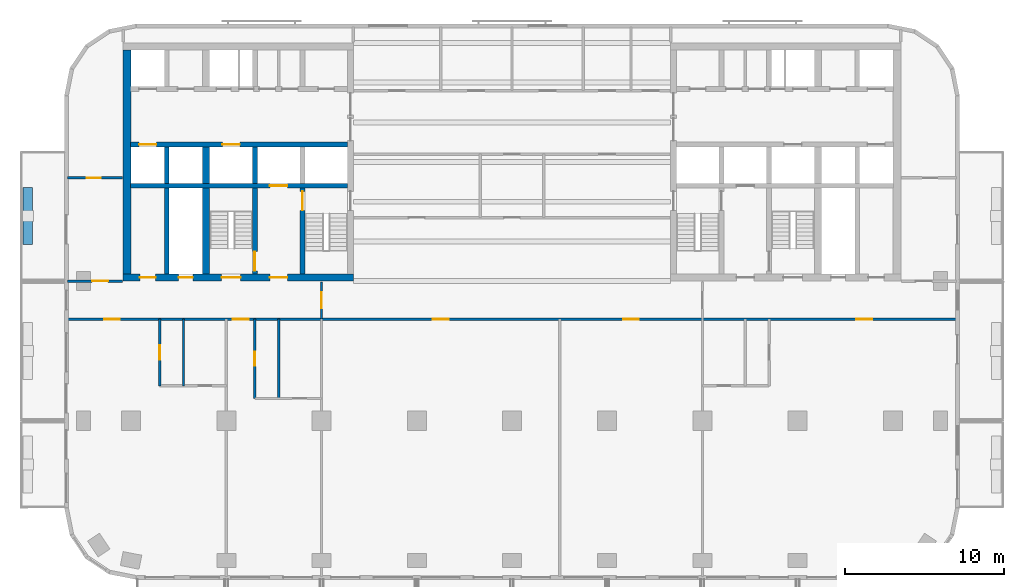
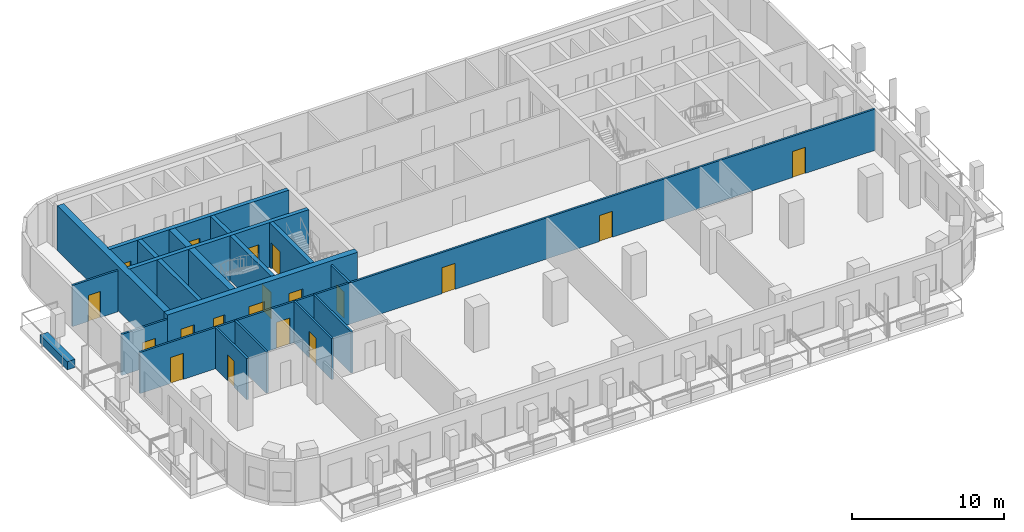
# One storey, part 3 of 11: 20 walls, 19 doors, 19 openings.
"""IFC4 building model written with IfcOpenShell, lengths in metres."""

from ifc_helpers import new_model, si_unit, direction, frame, frame_2d, origin, place, context, subcontext, project, spatial, rectangle, extrude, material, layer, layer_set, type_object, element, fill, save


model = new_model("IFC4")

# Units and contexts
model_context = context("Model", 3, precision=1e-05, world=origin(), true_north=direction((0.0, 1.0)))
body_context = subcontext(model_context, "Body", "Model", "MODEL_VIEW")
ifc_project = project(units=[si_unit("LENGTHUNIT", "METRE"), si_unit("AREAUNIT", "SQUARE_METRE"), si_unit("VOLUMEUNIT", "CUBIC_METRE"), si_unit("PLANEANGLEUNIT", "RADIAN"), si_unit("MASSUNIT", "GRAM", prefix="KILO")], contexts=[model_context])

# Site, building, storey
site_placement = place(None, origin())
site = spatial("IfcSite", under=ifc_project, at=site_placement, CompositionType="ELEMENT")
building_placement = place(site_placement, origin())
building = spatial("IfcBuilding", under=site, at=building_placement, Name="Torana Hotel and Residences", CompositionType="ELEMENT")
storey_placement = place(building_placement, frame((0.0, 0.0, 170.39990234375)))
storey = spatial("IfcBuildingStorey", under=building, at=storey_placement, Name="L44", CompositionType="ELEMENT", Elevation=170.39990234375)

# Wall, openings, doors
ifc_material_1 = material(Name="Concrete C70/85", Category="concrete")
ifc_layer_1 = layer(ifc_material_1, 0.300048828125)
ifc_layer_set_1 = layer_set([ifc_layer_1], Name="CORE WALL 300 C70/85")
wall_type_1 = type_object("IfcWallType", Name="CORE WALL 300 C70/85", PredefinedType="SHEAR", material=ifc_layer_set_1)
wall_1_placement = place(storey_placement, frame((-24.050048828125, -6.39990234375, 0.0), z_axis=(0.0, 0.0, 1.0), x_axis=(1.0, 0.0, 0.0)))
wall_1 = element("IfcWall", 1, at=wall_1_placement, inside=storey, type_object=wall_type_1, Name="Core wall W row-S", PredefinedType="SHEAR", context=body_context, shape_type="SweptSolid", body=[
    extrude(rectangle(XDim=13.699951171875, YDim=0.300048828125, at=frame_2d((6.85009765625, 0.0))), origin(), (0.0, 0.0, 1.0), 3.60009765625),
])
opening_1_placement = place(wall_1_placement, frame((0.550048828125, 0.0, 0.0)))
opening_1 = element("IfcOpeningElement", 2, at=opening_1_placement, cuts=wall_1, Name="Opening LD", PredefinedType="OPENING", context=body_context, shape_type="SweptSolid", body=[
    extrude(rectangle(XDim=1.10009765625, YDim=2.10009765625, at=frame_2d((0.550048828125, 1.050048828125))), frame((0.0, 0.159912109375, 0.0), z_axis=(0.0, -1.0, 0.0), x_axis=(1.0, 0.0, 0.0)), (0.0, 0.0, 1.0), 0.320068359375),
])
opening_2_placement = place(wall_1_placement, frame((5.800048828125, 0.0, 0.0)))
opening_2 = element("IfcOpeningElement", 3, at=opening_2_placement, cuts=wall_1, Name="Opening LD", PredefinedType="OPENING", context=body_context, shape_type="SweptSolid", body=[
    extrude(rectangle(XDim=1.10009765625, YDim=2.10009765625, at=frame_2d((0.550048828125, 1.050048828125))), frame((0.0, 0.159912109375, 0.0), z_axis=(0.0, -1.0, 0.0), x_axis=(1.0, 0.0, 0.0)), (0.0, 0.0, 1.0), 0.320068359375),
])
ifc_material_2 = material(Name="Stainless steel 316", Category="steel")
door_type_1 = type_object("IfcDoorType", Name="LIFT LANDING DOOR LD 1100x2100", OperationType="DOUBLE_DOOR_SLIDING", PredefinedType="USERDEFINED", material=ifc_material_2)
door_1_placement = place(opening_1_placement, origin())
door_1 = element("IfcDoor", 4, at=door_1_placement, inside=storey, type_object=door_type_1, Name="Lift landing door M2 L44", ObjectType="LIFT LANDING DOOR", OperationType="DOUBLE_DOOR_SLIDING", OverallHeight=2.10009765625, OverallWidth=1.10009765625, PredefinedType="USERDEFINED", context=body_context, shape_type="SweptSolid", body=[
    extrude(rectangle(XDim=1.10009765625, YDim=2.10009765625, at=frame_2d((0.550048828125, 1.050048828125))), frame((0.0, 0.02490234375, 0.0), z_axis=(0.0, -1.0, 0.0), x_axis=(1.0, 0.0, 0.0)), (0.0, 0.0, 1.0), 0.050048828125),
])
fill(opening_1, door_1)
door_2_placement = place(opening_2_placement, origin())
door_2 = element("IfcDoor", 5, at=door_2_placement, inside=storey, type_object=door_type_1, Name="Lift landing door SV1 L44", ObjectType="LIFT LANDING DOOR", OperationType="DOUBLE_DOOR_SLIDING", OverallHeight=2.10009765625, OverallWidth=1.10009765625, PredefinedType="USERDEFINED", context=body_context, shape_type="SweptSolid", body=[
    extrude(rectangle(XDim=1.10009765625, YDim=2.10009765625, at=frame_2d((0.550048828125, 1.050048828125))), frame((0.0, 0.02490234375, 0.0), z_axis=(0.0, -1.0, 0.0), x_axis=(1.0, 0.0, 0.0)), (0.0, 0.0, 1.0), 0.050048828125),
])
fill(opening_2, door_2)

# Wall, opening, door
wall_2_placement = place(storey_placement, frame((-24.050048828125, -9.0, 0.0), z_axis=(0.0, 0.0, 1.0), x_axis=(1.0, 0.0, 0.0)))
wall_2 = element("IfcWall", 6, at=wall_2_placement, inside=storey, type_object=wall_type_1, Name="Core wall W band", PredefinedType="SHEAR", context=body_context, shape_type="SweptSolid", body=[
    extrude(rectangle(XDim=13.699951171875, YDim=0.300048828125, at=frame_2d((6.85009765625, 0.0))), origin(), (0.0, 0.0, 1.0), 3.60009765625),
])
opening_3_placement = place(wall_2_placement, frame((8.800048828125, 0.0, 0.0)))
opening_3 = element("IfcOpeningElement", 7, at=opening_3_placement, cuts=wall_2, Name="Opening LD", PredefinedType="OPENING", context=body_context, shape_type="SweptSolid", body=[
    extrude(rectangle(XDim=1.10009765625, YDim=2.10009765625, at=frame_2d((0.550048828125, 1.050048828125))), frame((0.0, 0.159912109375, 0.0), z_axis=(0.0, -1.0, 0.0), x_axis=(1.0, 0.0, 0.0)), (0.0, 0.0, 1.0), 0.320068359375),
])
door_3_placement = place(opening_3_placement, origin())
door_3 = element("IfcDoor", 8, at=door_3_placement, inside=storey, type_object=door_type_1, Name="Lift landing door FF1 L44", ObjectType="LIFT LANDING DOOR", OperationType="DOUBLE_DOOR_SLIDING", OverallHeight=2.10009765625, OverallWidth=1.10009765625, PredefinedType="USERDEFINED", context=body_context, shape_type="SweptSolid", body=[
    extrude(rectangle(XDim=1.10009765625, YDim=2.10009765625, at=frame_2d((0.550048828125, 1.050048828125))), frame((0.0, 0.02490234375, 0.0), z_axis=(0.0, -1.0, 0.0), x_axis=(1.0, 0.0, 0.0)), (0.0, 0.0, 1.0), 0.050048828125),
])
fill(opening_3, door_3)

wall_3_placement = place(storey_placement, frame((-13.199951171875, -14.550048828125, 0.0), z_axis=(0.0, 0.0, 1.0), x_axis=(0.0, 1.0, 0.0)))
wall_3 = element("IfcWall", 9, at=wall_3_placement, inside=storey, type_object=wall_type_1, Name="Core wall W x3.05-band", PredefinedType="SHEAR", context=body_context, shape_type="SweptSolid", body=[
    extrude(rectangle(XDim=5.400146484375, YDim=0.300048828125, at=frame_2d((2.7001953125, 0.0))), origin(), (0.0, 0.0, 1.0), 3.60009765625),
])
opening_4_placement = place(wall_3_placement, frame((4.0, 0.0, 0.0)))
opening_4 = element("IfcOpeningElement", 10, at=opening_4_placement, cuts=wall_3, Name="Opening L44-14", PredefinedType="OPENING", context=body_context, shape_type="SweptSolid", body=[
    extrude(rectangle(XDim=1.199951171875, YDim=2.10009765625, at=frame_2d((0.60009765625, 1.050048828125))), frame((0.0, 0.159912109375, 0.0), z_axis=(0.0, -1.0, 0.0), x_axis=(1.0, 0.0, 0.0)), (0.0, 0.0, 1.0), 0.320068359375),
])
ifc_material_3 = material(Name="Steel S235", Category="steel")
door_type_2 = type_object("IfcDoorType", Name="STAIR FIRE DOOR D3 1200x2100", OperationType="SINGLE_SWING_LEFT", PredefinedType="DOOR", material=ifc_material_3)
door_4_placement = place(opening_4_placement, frame((0.60009765625, 0.0, 0.0), z_axis=(0.0, 0.0, 1.0), x_axis=(-1.0, 0.0, 0.0)))
door_4 = element("IfcDoor", 11, at=door_4_placement, inside=storey, type_object=door_type_2, Name="Stair-A-lobby door L44", OperationType="SINGLE_SWING_RIGHT", OverallHeight=2.10009765625, OverallWidth=1.199951171875, PredefinedType="DOOR", context=body_context, shape_type="SweptSolid", body=[
    extrude(rectangle(XDim=1.199951171875, YDim=2.10009765625, at=frame_2d((0.0, 1.050048828125))), frame((0.0, -0.02490234375, 0.0), z_axis=(0.0, 1.0, 0.0), x_axis=(-1.0, 0.0, 0.0)), (0.0, 0.0, 1.0), 0.050048828125),
])
fill(opening_4, door_4)

# Wall
wall_4_placement = place(storey_placement, frame((-16.199951171875, -8.85009765625, 0.0), z_axis=(0.0, 0.0, 1.0), x_axis=(0.0, 1.0, 0.0)))
element("IfcWall", 12, at=wall_4_placement, inside=storey, type_object=wall_type_1, Name="Core wall W x6.05-S", PredefinedType="SHEAR", context=body_context, shape_type="SweptSolid", body=[
    extrude(rectangle(XDim=2.300048828125, YDim=0.300048828125, at=frame_2d((1.14990234375, 0.0))), origin(), (0.0, 0.0, 1.0), 3.60009765625),
])

# Wall, opening, door
wall_5_placement = place(storey_placement, frame((-16.199951171875, -14.550048828125, 0.0), z_axis=(0.0, 0.0, 1.0), x_axis=(0.0, 1.0, 0.0)))
wall_5 = element("IfcWall", 13, at=wall_5_placement, inside=storey, type_object=wall_type_1, Name="Core wall W x6.05-band", PredefinedType="SHEAR", context=body_context, shape_type="SweptSolid", body=[
    extrude(rectangle(XDim=5.400146484375, YDim=0.300048828125, at=frame_2d((2.7001953125, 0.0))), origin(), (0.0, 0.0, 1.0), 3.60009765625),
])
opening_5_placement = place(wall_5_placement, frame((0.199951171875, 0.0, 0.0)))
opening_5 = element("IfcOpeningElement", 14, at=opening_5_placement, cuts=wall_5, Name="Opening L44-15", PredefinedType="OPENING", context=body_context, shape_type="SweptSolid", body=[
    extrude(rectangle(XDim=1.199951171875, YDim=2.10009765625, at=frame_2d((0.60009765625, 1.050048828125))), frame((0.0, 0.159912109375, 0.0), z_axis=(0.0, -1.0, 0.0), x_axis=(1.0, 0.0, 0.0)), (0.0, 0.0, 1.0), 0.320068359375),
])
door_5_placement = place(opening_5_placement, origin())
door_5 = element("IfcDoor", 15, at=door_5_placement, inside=storey, type_object=door_type_2, Name="Stair-B-lobby door L44", OperationType="SINGLE_SWING_RIGHT", OverallHeight=2.10009765625, OverallWidth=1.199951171875, PredefinedType="DOOR", context=body_context, shape_type="SweptSolid", body=[
    extrude(rectangle(XDim=1.199951171875, YDim=2.10009765625, at=frame_2d((0.60009765625, 1.050048828125))), frame((0.0, 0.02490234375, 0.0), z_axis=(0.0, -1.0, 0.0), x_axis=(1.0, 0.0, 0.0)), (0.0, 0.0, 1.0), 0.050048828125),
])
fill(opening_5, door_5)

# Walls
wall_6_placement = place(storey_placement, frame((-21.75, -8.85009765625, 0.0), z_axis=(0.0, 0.0, 1.0), x_axis=(0.0, 1.0, 0.0)))
element("IfcWall", 16, at=wall_6_placement, inside=storey, type_object=wall_type_1, Name="Core wall W mm-S", PredefinedType="SHEAR", context=body_context, shape_type="SweptSolid", body=[
    extrude(rectangle(XDim=2.300048828125, YDim=0.300048828125, at=frame_2d((1.14990234375, 0.0))), origin(), (0.0, 0.0, 1.0), 3.60009765625),
])
wall_7_placement = place(storey_placement, frame((-21.75, -14.550048828125, 0.0), z_axis=(0.0, 0.0, 1.0), x_axis=(0.0, 1.0, 0.0)))
element("IfcWall", 17, at=wall_7_placement, inside=storey, type_object=wall_type_1, Name="Core wall W mm-band", PredefinedType="SHEAR", context=body_context, shape_type="SweptSolid", body=[
    extrude(rectangle(XDim=5.400146484375, YDim=0.300048828125, at=frame_2d((2.7001953125, 0.0))), origin(), (0.0, 0.0, 1.0), 3.60009765625),
])

# Wall, openings, doors
ifc_material_4 = material(Name="Concrete C70/85", Category="concrete")
ifc_layer_2 = layer(ifc_material_4, 0.449951171875)
ifc_layer_set_2 = layer_set([ifc_layer_2], Name="CORE WALL 450 C70/85")
wall_type_2 = type_object("IfcWallType", Name="CORE WALL 450 C70/85", PredefinedType="SHEAR", material=ifc_layer_set_2)
wall_8_placement = place(storey_placement, frame((-24.5, -14.77490234375, 0.0), z_axis=(0.0, 0.0, 1.0), x_axis=(1.0, 0.0, 0.0)))
wall_8 = element("IfcWall", 18, at=wall_8_placement, inside=storey, type_object=wall_type_2, Name="Core wall W front", PredefinedType="SHEAR", context=body_context, shape_type="SweptSolid", body=[
    extrude(rectangle(XDim=14.5, YDim=0.449951171875, at=frame_2d((7.25, 0.0))), origin(), (0.0, 0.0, 1.0), 3.60009765625),
])
opening_6_placement = place(wall_8_placement, frame((6.199951171875, 0.0, 0.0)))
opening_6 = element("IfcOpeningElement", 19, at=opening_6_placement, cuts=wall_8, Name="Opening L44-04", PredefinedType="OPENING", context=body_context, shape_type="SweptSolid", body=[
    extrude(rectangle(XDim=1.199951171875, YDim=2.10009765625, at=frame_2d((0.60009765625, 1.050048828125))), frame((0.0, 0.23486328125, 0.0), z_axis=(0.0, -1.0, 0.0), x_axis=(1.0, 0.0, 0.0)), (0.0, 0.0, 1.0), 0.469970703125),
])
opening_7_placement = place(wall_8_placement, frame((9.25, 0.0, 0.0)))
opening_7 = element("IfcOpeningElement", 20, at=opening_7_placement, cuts=wall_8, Name="Opening L44-05", PredefinedType="OPENING", context=body_context, shape_type="SweptSolid", body=[
    extrude(rectangle(XDim=1.10009765625, YDim=2.10009765625, at=frame_2d((0.550048828125, 1.050048828125))), frame((0.0, 0.23486328125, 0.0), z_axis=(0.0, -1.0, 0.0), x_axis=(1.0, 0.0, 0.0)), (0.0, 0.0, 1.0), 0.469970703125),
])
opening_8_placement = place(wall_8_placement, frame((3.5, 0.0, 0.0)))
opening_8 = element("IfcOpeningElement", 21, at=opening_8_placement, cuts=wall_8, Name="Opening L44-06", PredefinedType="OPENING", context=body_context, shape_type="SweptSolid", body=[
    extrude(rectangle(XDim=0.89990234375, YDim=2.10009765625, at=frame_2d((0.449951171875, 1.050048828125))), frame((0.0, 0.23486328125, 0.0), z_axis=(0.0, -1.0, 0.0), x_axis=(1.0, 0.0, 0.0)), (0.0, 0.0, 1.0), 0.469970703125),
])
opening_9_placement = place(wall_8_placement, frame((1.050048828125, 0.0, 0.0)))
opening_9 = element("IfcOpeningElement", 22, at=opening_9_placement, cuts=wall_8, Name="Opening L44-07", PredefinedType="OPENING", context=body_context, shape_type="SweptSolid", body=[
    extrude(rectangle(XDim=1.0, YDim=2.10009765625, at=frame_2d((0.5, 1.050048828125))), frame((0.0, 0.23486328125, 0.0), z_axis=(0.0, -1.0, 0.0), x_axis=(1.0, 0.0, 0.0)), (0.0, 0.0, 1.0), 0.469970703125),
])
ifc_material_5 = material(Name="Steel S235", Category="steel")
door_type_3 = type_object("IfcDoorType", Name="CORE ROOM FIRE DOOR D14 1000x2100", OperationType="SINGLE_SWING_LEFT", PredefinedType="DOOR", material=ifc_material_5)
door_6_placement = place(opening_9_placement, origin())
door_6 = element("IfcDoor", 23, at=door_6_placement, inside=storey, type_object=door_type_3, Name="M-Room door L44", OperationType="SINGLE_SWING_RIGHT", OverallHeight=2.10009765625, OverallWidth=1.0, PredefinedType="DOOR", context=body_context, shape_type="SweptSolid", body=[
    extrude(rectangle(XDim=1.0, YDim=2.10009765625, at=frame_2d((0.5, 1.050048828125))), frame((0.0, 0.02490234375, 0.0), z_axis=(0.0, -1.0, 0.0), x_axis=(1.0, 0.0, 0.0)), (0.0, 0.0, 1.0), 0.050048828125),
])
fill(opening_9, door_6)
ifc_material_6 = material(Name="Steel S235", Category="steel")
door_type_4 = type_object("IfcDoorType", Name="FIRE-FIGHTING LOBBY DOOR D8 1100x2100", OperationType="SINGLE_SWING_LEFT", PredefinedType="DOOR", material=ifc_material_6)
door_7_placement = place(opening_7_placement, origin())
door_7 = element("IfcDoor", 24, at=door_7_placement, inside=storey, type_object=door_type_4, Name="FF-lobby door L44", OperationType="SINGLE_SWING_RIGHT", OverallHeight=2.10009765625, OverallWidth=1.10009765625, PredefinedType="DOOR", context=body_context, shape_type="SweptSolid", body=[
    extrude(rectangle(XDim=1.10009765625, YDim=2.10009765625, at=frame_2d((0.550048828125, 1.050048828125))), frame((0.0, 0.02490234375, 0.0), z_axis=(0.0, -1.0, 0.0), x_axis=(1.0, 0.0, 0.0)), (0.0, 0.0, 1.0), 0.050048828125),
])
fill(opening_7, door_7)
ifc_material_7 = material(Name="Steel S235", Category="steel")
door_type_5 = type_object("IfcDoorType", Name="RISER ACCESS DOOR D5 900x2100", OperationType="SINGLE_SWING_LEFT", PredefinedType="DOOR", material=ifc_material_7)
door_8_placement = place(opening_8_placement, origin())
door_8 = element("IfcDoor", 25, at=door_8_placement, inside=storey, type_object=door_type_5, Name="M-Riser door L44", OperationType="SINGLE_SWING_RIGHT", OverallHeight=2.10009765625, OverallWidth=0.89990234375, PredefinedType="DOOR", context=body_context, shape_type="SweptSolid", body=[
    extrude(rectangle(XDim=0.89990234375, YDim=2.10009765625, at=frame_2d((0.449951171875, 1.050048828125))), frame((0.0, 0.02490234375, 0.0), z_axis=(0.0, -1.0, 0.0), x_axis=(1.0, 0.0, 0.0)), (0.0, 0.0, 1.0), 0.050048828125),
])
fill(opening_8, door_8)
door_9_placement = place(opening_6_placement, origin())
door_9 = element("IfcDoor", 26, at=door_9_placement, inside=storey, type_object=door_type_2, Name="Stair-B door L44", OperationType="SINGLE_SWING_RIGHT", OverallHeight=2.10009765625, OverallWidth=1.199951171875, PredefinedType="DOOR", context=body_context, shape_type="SweptSolid", body=[
    extrude(rectangle(XDim=1.199951171875, YDim=2.10009765625, at=frame_2d((0.60009765625, 1.050048828125))), frame((0.0, 0.02490234375, 0.0), z_axis=(0.0, -1.0, 0.0), x_axis=(1.0, 0.0, 0.0)), (0.0, 0.0, 1.0), 0.050048828125),
])
fill(opening_6, door_9)

# Walls
wall_9_placement = place(storey_placement, frame((-19.27490234375, -8.85009765625, 0.0), z_axis=(0.0, 0.0, 1.0), x_axis=(0.0, 1.0, 0.0)))
element("IfcWall", 27, at=wall_9_placement, inside=storey, type_object=wall_type_2, Name="Core wall W hm-S", PredefinedType="SHEAR", context=body_context, shape_type="SweptSolid", body=[
    extrude(rectangle(XDim=2.300048828125, YDim=0.449951171875, at=frame_2d((1.14990234375, 0.0))), origin(), (0.0, 0.0, 1.0), 3.60009765625),
])
wall_10_placement = place(storey_placement, frame((-19.27490234375, -14.550048828125, 0.0), z_axis=(0.0, 0.0, 1.0), x_axis=(0.0, 1.0, 0.0)))
element("IfcWall", 28, at=wall_10_placement, inside=storey, type_object=wall_type_2, Name="Core wall W hm-band", PredefinedType="SHEAR", context=body_context, shape_type="SweptSolid", body=[
    extrude(rectangle(XDim=5.400146484375, YDim=0.449951171875, at=frame_2d((2.7001953125, 0.0))), origin(), (0.0, 0.0, 1.0), 3.60009765625),
])
ifc_material_8 = material(Name="Concrete C70/85", Category="concrete")
ifc_layer_3 = layer(ifc_material_8, 0.5)
ifc_layer_set_3 = layer_set([ifc_layer_3], Name="CORE WALL 500 C70/85")
wall_type_3 = type_object("IfcWallType", Name="CORE WALL 500 C70/85", PredefinedType="SHEAR", material=ifc_layer_set_3)
wall_11_placement = place(storey_placement, frame((-24.25, -14.550048828125, 0.0), z_axis=(0.0, 0.0, 1.0), x_axis=(0.0, 1.0, 0.0)))
element("IfcWall", 29, at=wall_11_placement, inside=storey, type_object=wall_type_3, Name="Core wall W outer", PredefinedType="SHEAR", context=body_context, shape_type="SweptSolid", body=[
    extrude(rectangle(XDim=14.10009765625, YDim=0.5, at=frame_2d((7.050048828125, 0.0))), origin(), (0.0, 0.0, 1.0), 3.60009765625),
])

# Wall, opening, door
ifc_material_9 = material(Name="Gypsum plaster")
ifc_layer_4 = layer(ifc_material_9, 0.014892578125, Name="Plaster", Category="finish")
ifc_material_10 = material(Name="Concrete blockwork", Category="masonry")
ifc_layer_5 = layer(ifc_material_10, 0.1201171875, Name="Blockwork", Category="structure")
ifc_layer_6 = layer(ifc_material_9, 0.014892578125, Name="Plaster", Category="finish")
ifc_layer_set_4 = layer_set([ifc_layer_4, ifc_layer_5, ifc_layer_6], Name="FIRE PARTITION 150 BLOCKWORK")
wall_type_4 = type_object("IfcWallType", Name="FIRE PARTITION 150 BLOCKWORK", PredefinedType="PARTITIONING", material=ifc_layer_set_4)
wall_12_placement = place(storey_placement, frame((-12.0, -17.39990234375, 0.0), z_axis=(0.0, 0.0, 1.0), x_axis=(0.0, 1.0, 0.0)))
wall_12 = element("IfcWall", 30, at=wall_12_placement, inside=storey, type_object=wall_type_4, Name="Partition L44", PredefinedType="PARTITIONING", context=body_context, shape_type="SweptSolid", body=[
    extrude(rectangle(XDim=2.349853515625, YDim=0.14990234375, at=frame_2d((1.1748046875, 0.0))), origin(), (0.0, 0.0, 1.0), 3.320068359375),
])
opening_10_placement = place(wall_12_placement, frame((0.699951171875, 0.0, 0.0)))
opening_10 = element("IfcOpeningElement", 31, at=opening_10_placement, cuts=wall_12, Name="Opening L44-31", PredefinedType="OPENING", context=body_context, shape_type="SweptSolid", body=[
    extrude(rectangle(XDim=1.0, YDim=2.10009765625, at=frame_2d((0.5, 1.050048828125))), frame((0.0, 0.0849609375, 0.0), z_axis=(0.0, -1.0, 0.0), x_axis=(1.0, 0.0, 0.0)), (0.0, 0.0, 1.0), 0.169921875),
])
ifc_material_11 = material(Name="Steel S235", Category="steel")
door_type_6 = type_object("IfcDoorType", Name="ENTRY FIRE DOOR D6 1000x2100", OperationType="SINGLE_SWING_LEFT", PredefinedType="DOOR", material=ifc_material_11)
door_10_placement = place(opening_10_placement, origin())
door_10 = element("IfcDoor", 32, at=door_10_placement, inside=storey, type_object=door_type_6, Name="Door L44", OperationType="SINGLE_SWING_RIGHT", OverallHeight=2.10009765625, OverallWidth=1.0, PredefinedType="DOOR", context=body_context, shape_type="SweptSolid", body=[
    extrude(rectangle(XDim=1.0, YDim=2.10009765625, at=frame_2d((0.5, 1.050048828125))), frame((0.0, 0.02490234375, 0.0), z_axis=(0.0, -1.0, 0.0), x_axis=(1.0, 0.0, 0.0)), (0.0, 0.0, 1.0), 0.050048828125),
])
fill(opening_10, door_10)

# Wall, openings, doors
wall_13_placement = place(storey_placement, frame((-28.02001953125, -17.39990234375, 0.0), z_axis=(0.0, 0.0, 1.0), x_axis=(1.0, 0.0, 0.0)))
wall_13 = element("IfcWall", 33, at=wall_13_placement, inside=storey, type_object=wall_type_4, Name="Partition L44", PredefinedType="PARTITIONING", context=body_context, shape_type="SweptSolid", body=[
    extrude(rectangle(XDim=56.0400390625, YDim=0.14990234375, at=frame_2d((28.02001953125, 0.0))), origin(), (0.0, 0.0, 1.0), 3.320068359375),
])
opening_11_placement = place(wall_13_placement, frame((10.419921875, 0.0, 0.0)))
opening_11 = element("IfcOpeningElement", 34, at=opening_11_placement, cuts=wall_13, Name="Opening L44-32", PredefinedType="OPENING", context=body_context, shape_type="SweptSolid", body=[
    extrude(rectangle(XDim=1.0, YDim=2.10009765625, at=frame_2d((0.5, 1.050048828125))), frame((0.0, 0.0849609375, 0.0), z_axis=(0.0, -1.0, 0.0), x_axis=(1.0, 0.0, 0.0)), (0.0, 0.0, 1.0), 0.169921875),
])
opening_12_placement = place(wall_13_placement, frame((2.320068359375, 0.0, 0.0)))
opening_12 = element("IfcOpeningElement", 35, at=opening_12_placement, cuts=wall_13, Name="Opening L44-33", PredefinedType="OPENING", context=body_context, shape_type="SweptSolid", body=[
    extrude(rectangle(XDim=1.0, YDim=2.10009765625, at=frame_2d((0.5, 1.050048828125))), frame((0.0, 0.0849609375, 0.0), z_axis=(0.0, -1.0, 0.0), x_axis=(1.0, 0.0, 0.0)), (0.0, 0.0, 1.0), 0.169921875),
])
opening_13_placement = place(wall_13_placement, frame((49.719970703125, 0.0, 0.0)))
opening_13 = element("IfcOpeningElement", 36, at=opening_13_placement, cuts=wall_13, Name="Opening L44-36", PredefinedType="OPENING", context=body_context, shape_type="SweptSolid", body=[
    extrude(rectangle(XDim=1.0, YDim=2.10009765625, at=frame_2d((0.5, 1.050048828125))), frame((0.0, 0.0849609375, 0.0), z_axis=(0.0, -1.0, 0.0), x_axis=(1.0, 0.0, 0.0)), (0.0, 0.0, 1.0), 0.169921875),
])
opening_14_placement = place(wall_13_placement, frame((23.02001953125, 0.0, 0.0)))
opening_14 = element("IfcOpeningElement", 37, at=opening_14_placement, cuts=wall_13, Name="Opening L44-39", PredefinedType="OPENING", context=body_context, shape_type="SweptSolid", body=[
    extrude(rectangle(XDim=1.0, YDim=2.10009765625, at=frame_2d((0.5, 1.050048828125))), frame((0.0, 0.0849609375, 0.0), z_axis=(0.0, -1.0, 0.0), x_axis=(1.0, 0.0, 0.0)), (0.0, 0.0, 1.0), 0.169921875),
])
opening_15_placement = place(wall_13_placement, frame((35.02001953125, 0.0, 0.0)))
opening_15 = element("IfcOpeningElement", 38, at=opening_15_placement, cuts=wall_13, Name="Opening L44-40", PredefinedType="OPENING", context=body_context, shape_type="SweptSolid", body=[
    extrude(rectangle(XDim=1.0, YDim=2.10009765625, at=frame_2d((0.5, 1.050048828125))), frame((0.0, 0.0849609375, 0.0), z_axis=(0.0, -1.0, 0.0), x_axis=(1.0, 0.0, 0.0)), (0.0, 0.0, 1.0), 0.169921875),
])
door_11_placement = place(opening_11_placement, frame((0.5, 0.0, 0.0), z_axis=(0.0, 0.0, 1.0), x_axis=(-1.0, 0.0, 0.0)))
door_11 = element("IfcDoor", 39, at=door_11_placement, inside=storey, type_object=door_type_6, Name="Door L44", OperationType="SINGLE_SWING_LEFT", OverallHeight=2.10009765625, OverallWidth=1.0, PredefinedType="DOOR", context=body_context, shape_type="SweptSolid", body=[
    extrude(rectangle(XDim=1.0, YDim=2.10009765625, at=frame_2d((0.0, 1.050048828125))), frame((0.0, -0.02490234375, 0.0), z_axis=(0.0, 1.0, 0.0), x_axis=(-1.0, 0.0, 0.0)), (0.0, 0.0, 1.0), 0.050048828125),
])
fill(opening_11, door_11)
door_12_placement = place(opening_12_placement, frame((0.5, 0.0, 0.0), z_axis=(0.0, 0.0, 1.0), x_axis=(-1.0, 0.0, 0.0)))
door_12 = element("IfcDoor", 40, at=door_12_placement, inside=storey, type_object=door_type_6, Name="Door L44", OperationType="SINGLE_SWING_LEFT", OverallHeight=2.10009765625, OverallWidth=1.0, PredefinedType="DOOR", context=body_context, shape_type="SweptSolid", body=[
    extrude(rectangle(XDim=1.0, YDim=2.10009765625, at=frame_2d((0.0, 1.050048828125))), frame((0.0, -0.02490234375, 0.0), z_axis=(0.0, 1.0, 0.0), x_axis=(-1.0, 0.0, 0.0)), (0.0, 0.0, 1.0), 0.050048828125),
])
fill(opening_12, door_12)
door_13_placement = place(opening_13_placement, frame((0.5, 0.0, 0.0), z_axis=(0.0, 0.0, 1.0), x_axis=(-1.0, 0.0, 0.0)))
door_13 = element("IfcDoor", 41, at=door_13_placement, inside=storey, type_object=door_type_6, Name="Door L44", OperationType="SINGLE_SWING_LEFT", OverallHeight=2.10009765625, OverallWidth=1.0, PredefinedType="DOOR", context=body_context, shape_type="SweptSolid", body=[
    extrude(rectangle(XDim=1.0, YDim=2.10009765625, at=frame_2d((0.0, 1.050048828125))), frame((0.0, -0.02490234375, 0.0), z_axis=(0.0, 1.0, 0.0), x_axis=(-1.0, 0.0, 0.0)), (0.0, 0.0, 1.0), 0.050048828125),
])
fill(opening_13, door_13)
door_14_placement = place(opening_14_placement, frame((0.5, 0.0, 0.0), z_axis=(0.0, 0.0, 1.0), x_axis=(-1.0, 0.0, 0.0)))
door_14 = element("IfcDoor", 42, at=door_14_placement, inside=storey, type_object=door_type_6, Name="Door L44", OperationType="SINGLE_SWING_LEFT", OverallHeight=2.10009765625, OverallWidth=1.0, PredefinedType="DOOR", context=body_context, shape_type="SweptSolid", body=[
    extrude(rectangle(XDim=1.0, YDim=2.10009765625, at=frame_2d((0.0, 1.050048828125))), frame((0.0, -0.02490234375, 0.0), z_axis=(0.0, 1.0, 0.0), x_axis=(-1.0, 0.0, 0.0)), (0.0, 0.0, 1.0), 0.050048828125),
])
fill(opening_14, door_14)
door_15_placement = place(opening_15_placement, frame((0.5, 0.0, 0.0), z_axis=(0.0, 0.0, 1.0), x_axis=(-1.0, 0.0, 0.0)))
door_15 = element("IfcDoor", 43, at=door_15_placement, inside=storey, type_object=door_type_6, Name="Door L44", OperationType="SINGLE_SWING_LEFT", OverallHeight=2.10009765625, OverallWidth=1.0, PredefinedType="DOOR", context=body_context, shape_type="SweptSolid", body=[
    extrude(rectangle(XDim=1.0, YDim=2.10009765625, at=frame_2d((0.0, 1.050048828125))), frame((0.0, -0.02490234375, 0.0), z_axis=(0.0, 1.0, 0.0), x_axis=(-1.0, 0.0, 0.0)), (0.0, 0.0, 1.0), 0.050048828125),
])
fill(opening_15, door_15)

# Wall, opening, door
wall_14_placement = place(storey_placement, frame((-28.02001953125, -15.0, 0.0), z_axis=(0.0, 0.0, 1.0), x_axis=(1.0, 0.0, 0.0)))
wall_14 = element("IfcWall", 44, at=wall_14_placement, inside=storey, type_object=wall_type_4, Name="Partition L44", PredefinedType="PARTITIONING", context=body_context, shape_type="SweptSolid", body=[
    extrude(rectangle(XDim=3.469970703125, YDim=0.14990234375, at=frame_2d((1.73486328125, 0.0))), origin(), (0.0, 0.0, 1.0), 3.320068359375),
])
opening_16_placement = place(wall_14_placement, frame((1.570068359375, 0.0, 0.0)))
opening_16 = element("IfcOpeningElement", 45, at=opening_16_placement, cuts=wall_14, Name="Opening L44-34", PredefinedType="OPENING", context=body_context, shape_type="SweptSolid", body=[
    extrude(rectangle(XDim=1.0, YDim=2.10009765625, at=frame_2d((0.5, 1.050048828125))), frame((0.0, 0.0849609375, 0.0), z_axis=(0.0, -1.0, 0.0), x_axis=(1.0, 0.0, 0.0)), (0.0, 0.0, 1.0), 0.169921875),
])
door_16_placement = place(opening_16_placement, origin())
door_16 = element("IfcDoor", 46, at=door_16_placement, inside=storey, type_object=door_type_3, Name="Door L44", OperationType="SINGLE_SWING_RIGHT", OverallHeight=2.10009765625, OverallWidth=1.0, PredefinedType="DOOR", context=body_context, shape_type="SweptSolid", body=[
    extrude(rectangle(XDim=1.0, YDim=2.10009765625, at=frame_2d((0.5, 1.050048828125))), frame((0.0, 0.02490234375, 0.0), z_axis=(0.0, -1.0, 0.0), x_axis=(1.0, 0.0, 0.0)), (0.0, 0.0, 1.0), 0.050048828125),
])
fill(opening_16, door_16)

# Wall
ifc_material_12 = material(Name="Gypsum plasterboard")
ifc_layer_7 = layer(ifc_material_12, 0.012451171875, Name="Plasterboard", Category="finish")
ifc_layer_8 = layer(ifc_material_12, 0.012451171875, Name="Plasterboard", Category="finish")
ifc_material_13 = material(Name="Steel S280GD", Category="steel")
ifc_layer_9 = layer(ifc_material_13, 0.10009765625, Name="Steel studs with mineral wool", Category="insulation")
ifc_layer_10 = layer(ifc_material_12, 0.012451171875, Name="Plasterboard", Category="finish")
ifc_layer_11 = layer(ifc_material_12, 0.012451171875, Name="Plasterboard", Category="finish")
ifc_layer_set_5 = layer_set([ifc_layer_7, ifc_layer_8, ifc_layer_9, ifc_layer_10, ifc_layer_11], Name="PARTITION 150 PLASTERBOARD")
wall_type_5 = type_object("IfcWallType", Name="PARTITION 150 PLASTERBOARD", PredefinedType="PARTITIONING", material=ifc_layer_set_5)
wall_15_placement = place(storey_placement, frame((-14.699951171875, -22.39990234375, 0.0), z_axis=(0.0, 0.0, 1.0), x_axis=(0.0, 1.0, 0.0)))
element("IfcWall", 47, at=wall_15_placement, inside=storey, type_object=wall_type_5, Name="Partition L44", PredefinedType="PARTITIONING", context=body_context, shape_type="SweptSolid", body=[
    extrude(rectangle(XDim=5.0, YDim=0.14990234375, at=frame_2d((2.5, 0.0))), origin(), (0.0, 0.0, 1.0), 3.320068359375),
])

# Wall, opening, door
wall_16_placement = place(storey_placement, frame((-16.199951171875, -22.39990234375, 0.0), z_axis=(0.0, 0.0, 1.0), x_axis=(0.0, 1.0, 0.0)))
wall_16 = element("IfcWall", 48, at=wall_16_placement, inside=storey, type_object=wall_type_5, Name="Partition L44", PredefinedType="PARTITIONING", context=body_context, shape_type="SweptSolid", body=[
    extrude(rectangle(XDim=5.0, YDim=0.14990234375, at=frame_2d((2.5, 0.0))), origin(), (0.0, 0.0, 1.0), 3.320068359375),
])
opening_17_placement = place(wall_16_placement, frame((2.050048828125, 0.0, 0.0)))
opening_17 = element("IfcOpeningElement", 49, at=opening_17_placement, cuts=wall_16, Name="Opening L44-49", PredefinedType="OPENING", context=body_context, shape_type="SweptSolid", body=[
    extrude(rectangle(XDim=0.89990234375, YDim=2.10009765625, at=frame_2d((0.449951171875, 1.050048828125))), frame((0.0, 0.0849609375, 0.0), z_axis=(0.0, -1.0, 0.0), x_axis=(1.0, 0.0, 0.0)), (0.0, 0.0, 1.0), 0.169921875),
])
ifc_material_14 = material(Name="Timber door, oiled ash", Category="wood")
door_type_7 = type_object("IfcDoorType", Name="ROOM DOOR D7 900x2100", OperationType="SINGLE_SWING_LEFT", PredefinedType="DOOR", material=ifc_material_14)
door_17_placement = place(opening_17_placement, origin())
door_17 = element("IfcDoor", 50, at=door_17_placement, inside=storey, type_object=door_type_7, Name="Door L44", OperationType="SINGLE_SWING_RIGHT", OverallHeight=2.10009765625, OverallWidth=0.89990234375, PredefinedType="DOOR", context=body_context, shape_type="SweptSolid", body=[
    extrude(rectangle(XDim=0.89990234375, YDim=2.10009765625, at=frame_2d((0.449951171875, 1.050048828125))), frame((0.0, 0.02490234375, 0.0), z_axis=(0.0, -1.0, 0.0), x_axis=(1.0, 0.0, 0.0)), (0.0, 0.0, 1.0), 0.050048828125),
])
fill(opening_17, door_17)

# Wall
wall_17_placement = place(storey_placement, frame((-20.699951171875, -21.60009765625, 0.0), z_axis=(0.0, 0.0, 1.0), x_axis=(0.0, 1.0, 0.0)))
element("IfcWall", 51, at=wall_17_placement, inside=storey, type_object=wall_type_5, Name="Partition L44", PredefinedType="PARTITIONING", context=body_context, shape_type="SweptSolid", body=[
    extrude(rectangle(XDim=4.2001953125, YDim=0.14990234375, at=frame_2d((2.10009765625, 0.0))), origin(), (0.0, 0.0, 1.0), 3.320068359375),
])

# Wall, opening, door
wall_18_placement = place(storey_placement, frame((-22.199951171875, -21.60009765625, 0.0), z_axis=(0.0, 0.0, 1.0), x_axis=(0.0, 1.0, 0.0)))
wall_18 = element("IfcWall", 52, at=wall_18_placement, inside=storey, type_object=wall_type_5, Name="Partition L44", PredefinedType="PARTITIONING", context=body_context, shape_type="SweptSolid", body=[
    extrude(rectangle(XDim=4.2001953125, YDim=0.14990234375, at=frame_2d((2.10009765625, 0.0))), origin(), (0.0, 0.0, 1.0), 3.320068359375),
])
opening_18_placement = place(wall_18_placement, frame((1.64990234375, 0.0, 0.0)))
opening_18 = element("IfcOpeningElement", 53, at=opening_18_placement, cuts=wall_18, Name="Opening L44-52", PredefinedType="OPENING", context=body_context, shape_type="SweptSolid", body=[
    extrude(rectangle(XDim=0.89990234375, YDim=2.10009765625, at=frame_2d((0.449951171875, 1.050048828125))), frame((0.0, 0.0849609375, 0.0), z_axis=(0.0, -1.0, 0.0), x_axis=(1.0, 0.0, 0.0)), (0.0, 0.0, 1.0), 0.169921875),
])
door_18_placement = place(opening_18_placement, origin())
door_18 = element("IfcDoor", 54, at=door_18_placement, inside=storey, type_object=door_type_7, Name="Door L44", OperationType="SINGLE_SWING_RIGHT", OverallHeight=2.10009765625, OverallWidth=0.89990234375, PredefinedType="DOOR", context=body_context, shape_type="SweptSolid", body=[
    extrude(rectangle(XDim=0.89990234375, YDim=2.10009765625, at=frame_2d((0.449951171875, 1.050048828125))), frame((0.0, 0.02490234375, 0.0), z_axis=(0.0, -1.0, 0.0), x_axis=(1.0, 0.0, 0.0)), (0.0, 0.0, 1.0), 0.050048828125),
])
fill(opening_18, door_18)

wall_19_placement = place(storey_placement, frame((-28.02001953125, -8.5, 0.0), z_axis=(0.0, 0.0, 1.0), x_axis=(1.0, 0.0, 0.0)))
wall_19 = element("IfcWall", 55, at=wall_19_placement, inside=storey, type_object=wall_type_5, Name="Partition L44", PredefinedType="PARTITIONING", context=body_context, shape_type="SweptSolid", body=[
    extrude(rectangle(XDim=3.469970703125, YDim=0.14990234375, at=frame_2d((1.73486328125, 0.0))), origin(), (0.0, 0.0, 1.0), 3.320068359375),
])
opening_19_placement = place(wall_19_placement, frame((1.219970703125, 0.0, 0.0)))
opening_19 = element("IfcOpeningElement", 56, at=opening_19_placement, cuts=wall_19, Name="Opening L44-55", PredefinedType="OPENING", context=body_context, shape_type="SweptSolid", body=[
    extrude(rectangle(XDim=0.89990234375, YDim=2.10009765625, at=frame_2d((0.449951171875, 1.050048828125))), frame((0.0, 0.0849609375, 0.0), z_axis=(0.0, -1.0, 0.0), x_axis=(1.0, 0.0, 0.0)), (0.0, 0.0, 1.0), 0.169921875),
])
door_19_placement = place(opening_19_placement, origin())
door_19 = element("IfcDoor", 57, at=door_19_placement, inside=storey, type_object=door_type_7, Name="Door L44", OperationType="SINGLE_SWING_RIGHT", OverallHeight=2.10009765625, OverallWidth=0.89990234375, PredefinedType="DOOR", context=body_context, shape_type="SweptSolid", body=[
    extrude(rectangle(XDim=0.89990234375, YDim=2.10009765625, at=frame_2d((0.449951171875, 1.050048828125))), frame((0.0, 0.02490234375, 0.0), z_axis=(0.0, -1.0, 0.0), x_axis=(1.0, 0.0, 0.0)), (0.0, 0.0, 1.0), 0.050048828125),
])
fill(opening_19, door_19)

# Wall
ifc_material_15 = material(Name="Concrete C40/50 precast", Category="concrete")
ifc_layer_12 = layer(ifc_material_15, 0.10009765625, Name="Planter shell", Category="structure")
ifc_material_16 = material(Name="Root resistant membrane")
ifc_layer_13 = layer(ifc_material_16, 0.00390625, Name="Waterproofing membrane", Category="membrane")
ifc_material_17 = material(Name="Drainage board with filter fleece")
ifc_layer_14 = layer(ifc_material_17, 0.02001953125, Name="Drainage board", Category="drainage")
ifc_material_18 = material(Name="Growing medium")
ifc_layer_15 = layer(ifc_material_18, 0.47607421875, Name="Planting substrate", Category="soil")
ifc_layer_set_6 = layer_set([ifc_layer_12, ifc_layer_13, ifc_layer_14, ifc_layer_15], Name="PL1 BALCONY PLANTER 600")
wall_type_6 = type_object("IfcWallType", Name="PL1 BALCONY PLANTER 600", PredefinedType="USERDEFINED", material=ifc_layer_set_6)
wall_20_placement = place(storey_placement, frame((-30.5, -12.699951171875, 0.0), z_axis=(0.0, 0.0, 1.0), x_axis=(0.0, 1.0, 0.0)))
element("IfcWall", 58, at=wall_20_placement, inside=storey, type_object=wall_type_6, Name="Planter 11", ObjectType="PLANTER", PredefinedType="USERDEFINED", context=body_context, shape_type="SweptSolid", body=[
    extrude(rectangle(XDim=3.599853515625, YDim=0.60009765625, at=frame_2d((1.7998046875, 0.0))), origin(), (0.0, 0.0, 1.0), 0.650146484375),
])

save(model, "model.ifc")
